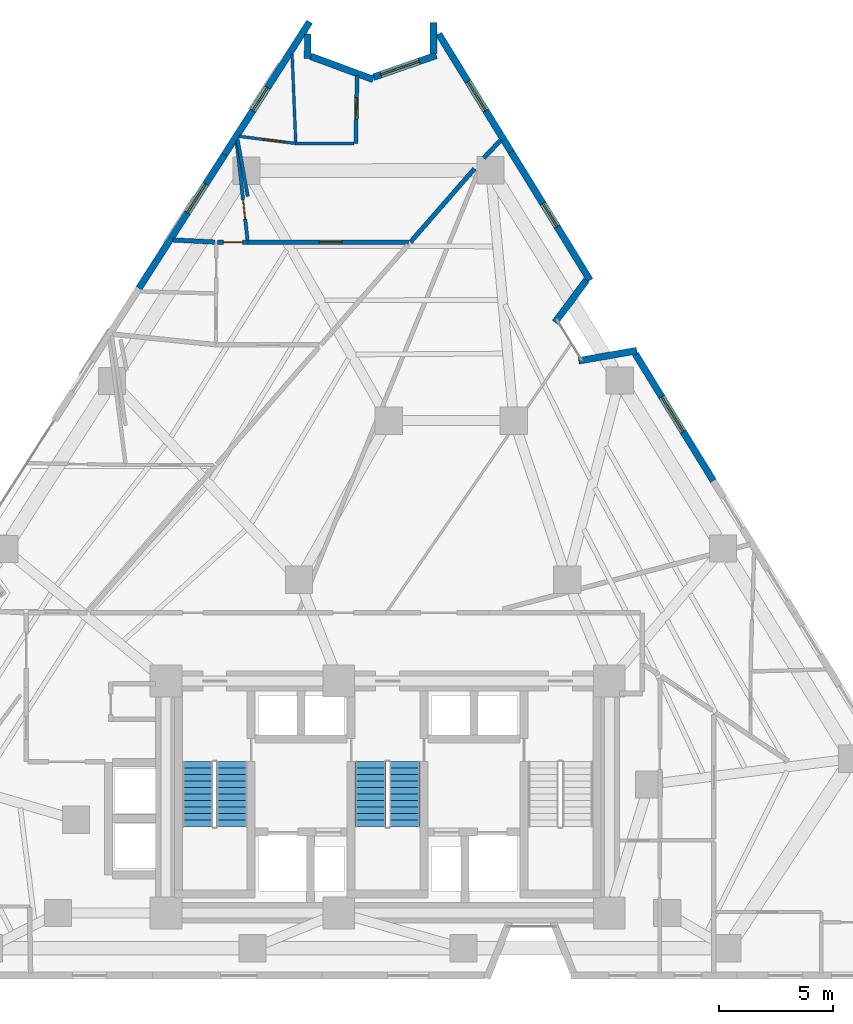
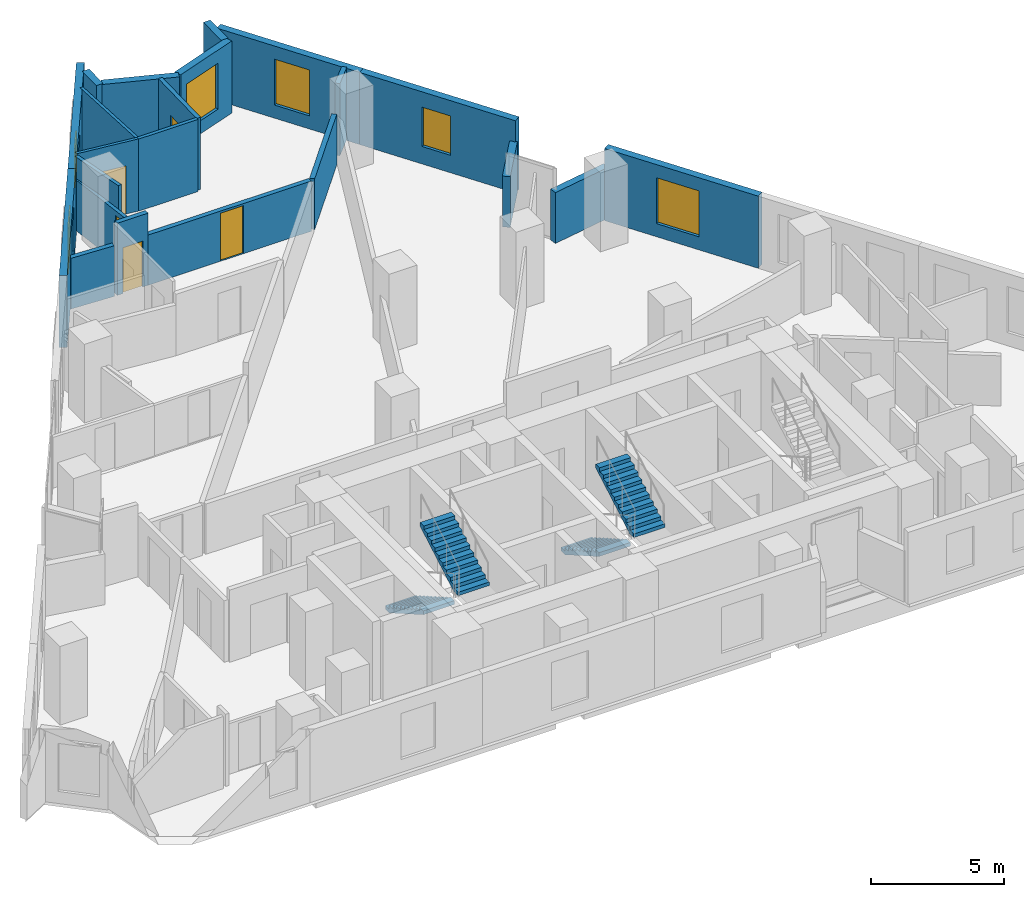
# One storey, part 10 of 13: 22 walls, 6 windows, 5 doors, 4 stair flights, 11 openings, 2 elements without a shape of their own.
"""IFC4 building model written with IfcOpenShell, lengths in metres."""

from ifc_helpers import new_model, si_unit, direction, frame, frame_2d, origin, place, context, subcontext, project, spatial, polyline, rectangle, outline, extrude, material, layer, layer_set, type_object, element, fill, aggregate, save


model = new_model("IFC4")

# Units and contexts
model_context = context("Model", 3, precision=1e-05, world=origin(), true_north=direction((0.0, 1.0)))
body_context = subcontext(model_context, "Body", "Model", "MODEL_VIEW")
ifc_project = project(units=[si_unit("LENGTHUNIT", "METRE"), si_unit("AREAUNIT", "SQUARE_METRE"), si_unit("VOLUMEUNIT", "CUBIC_METRE"), si_unit("PLANEANGLEUNIT", "RADIAN"), si_unit("MASSUNIT", "GRAM", prefix="KILO")], contexts=[model_context])

# Site, building, storey
site_placement = place(None, origin())
site = spatial("IfcSite", under=ifc_project, at=site_placement, CompositionType="ELEMENT")
building_placement = place(site_placement, origin())
building = spatial("IfcBuilding", under=site, at=building_placement, Name="Almagre Mirador Tower", CompositionType="ELEMENT")
storey_placement = place(building_placement, frame((0.0, 0.0, 96.60009765625)))
storey = spatial("IfcBuildingStorey", under=building, at=storey_placement, Name="L24", CompositionType="ELEMENT", Elevation=96.60009765625)

# Wall, opening, window
ifc_material_1 = material(Name="Precast concrete C50/60", Category="concrete")
ifc_layer_1 = layer(ifc_material_1, 0.300048828125)
ifc_layer_set_1 = layer_set([ifc_layer_1], Name="Precast concrete C50/60")
wall_type_1 = type_object("IfcWallType", Name="WAL-EXT-300", PredefinedType="SOLIDWALL", material=ifc_layer_set_1)
wall_1_placement = place(storey_placement, frame((26.3623046875, 32.020751953125, 0.0), z_axis=(0.0, 0.0, 1.0), x_axis=(0.539453319381, 0.842015508295, 0.0)))
wall_1 = element("IfcWall", 1, at=wall_1_placement, inside=storey, type_object=wall_type_1, Name="L24 expressed almagre precast frame wall 04", PredefinedType="SOLIDWALL", context=body_context, shape_type="SweptSolid", body=[
    extrude(rectangle(XDim=6.9853515625, YDim=0.300048828125, at=frame_2d((3.49267578125, 0.0))), origin(), (0.0, 0.0, 1.0), 3.2998046875),
])
opening_1_placement = place(wall_1_placement, frame((3.952880859375, 0.0, 0.60009765625)))
opening_1 = element("IfcOpeningElement", 2, at=opening_1_placement, cuts=wall_1, Name="Opening WN-03", PredefinedType="OPENING", context=body_context, shape_type="SweptSolid", body=[
    extrude(rectangle(XDim=1.5, YDim=2.10009765625, at=frame_2d((0.75, 1.050048828125))), frame((0.0, 0.159902, 0.0), z_axis=(0.0, -1.0, 0.0), x_axis=(1.0, 0.0, 0.0)), (0.0, 0.0, 1.0), 0.320049),
])
ifc_material_2 = material(Name="Dark solar-control laminated hurricane glass", Category="glass")
window_type_1 = type_object("IfcWindowType", Name="WIN-1500X2100", PartitioningType="DOUBLE_PANEL_VERTICAL", PredefinedType="WINDOW", material=ifc_material_2)
window_1_placement = place(opening_1_placement, origin())
window_1 = element("IfcWindow", 3, at=window_1_placement, inside=storey, type_object=window_type_1, Name="L24 recessed hurricane window L24-UM-HB", OverallHeight=2.10009765625, OverallWidth=1.5, PartitioningType="SINGLE_PANEL", PredefinedType="WINDOW", context=body_context, shape_type="SweptSolid", body=[
    extrude(rectangle(XDim=1.5, YDim=2.10009765625, at=frame_2d((0.75, 1.050048828125))), frame((0.0, 0.030029296875, 0.0), z_axis=(0.0, -1.0, 0.0), x_axis=(1.0, 0.0, 0.0)), (0.0, 0.0, 1.0), 0.06005859375),
])
fill(opening_1, window_1)

wall_2_placement = place(storey_placement, frame((30.130615234375, 37.902587890625, 0.0), z_axis=(0.0, 0.0, 1.0), x_axis=(0.539468344174, 0.842005882185, 0.0)))
wall_2 = element("IfcWall", 4, at=wall_2_placement, inside=storey, type_object=wall_type_1, Name="L24 expressed almagre precast frame wall 05", PredefinedType="SOLIDWALL", context=body_context, shape_type="SweptSolid", body=[
    extrude(rectangle(XDim=6.9326171875, YDim=0.300048828125, at=frame_2d((3.46630859375, 0.0))), origin(), (0.0, 0.0, 1.0), 3.2998046875),
])
opening_2_placement = place(wall_2_placement, frame((2.300048828125, 0.0, 0.800048828125)))
opening_2 = element("IfcOpeningElement", 5, at=opening_2_placement, cuts=wall_2, Name="Opening WN-04", PredefinedType="OPENING", context=body_context, shape_type="SweptSolid", body=[
    extrude(rectangle(XDim=1.199951171875, YDim=1.800048828125, at=frame_2d((0.60009765625, 0.89990234375))), frame((0.0, 0.159902, 0.0), z_axis=(0.0, -1.0, 0.0), x_axis=(1.0, 0.0, 0.0)), (0.0, 0.0, 1.0), 0.320049),
])
ifc_material_3 = material(Name="Dark solar-control laminated hurricane glass", Category="glass")
window_type_2 = type_object("IfcWindowType", Name="WIN-1200X1800", PartitioningType="SINGLE_PANEL", PredefinedType="WINDOW", material=ifc_material_3)
window_2_placement = place(opening_2_placement, origin())
window_2 = element("IfcWindow", 6, at=window_2_placement, inside=storey, type_object=window_type_2, Name="L24 recessed hurricane window L24-UM-KT", OverallHeight=1.800048828125, OverallWidth=1.199951171875, PartitioningType="SINGLE_PANEL", PredefinedType="WINDOW", context=body_context, shape_type="SweptSolid", body=[
    extrude(rectangle(XDim=1.199951171875, YDim=1.800048828125, at=frame_2d((0.60009765625, 0.89990234375))), frame((0.0, 0.030029296875, 0.0), z_axis=(0.0, -1.0, 0.0), x_axis=(1.0, 0.0, 0.0)), (0.0, 0.0, 1.0), 0.06005859375),
])
fill(opening_2, window_2)

# Walls
wall_3_placement = place(storey_placement, frame((33.791015625, 43.20703125, 0.0), z_axis=(0.0, 0.0, 1.0), x_axis=(-0.009538516763, -0.999954507314, 0.0)))
element("IfcWall", 7, at=wall_3_placement, inside=storey, type_object=wall_type_1, Name="L24 expressed almagre precast frame wall 06", PredefinedType="SOLIDWALL", context=body_context, shape_type="SweptSolid", body=[
    extrude(rectangle(XDim=1.074951171875, YDim=0.300048828125, at=frame_2d((0.53759765625, 0.0))), origin(), (0.0, 0.0, 1.0), 3.2998046875),
])
wall_4_placement = place(storey_placement, frame((33.90869140625, 42.225341796875, 0.0), z_axis=(0.0, 0.0, 1.0), x_axis=(0.938225446259, -0.346024582931, 0.0)))
element("IfcWall", 8, at=wall_4_placement, inside=storey, type_object=wall_type_1, Name="L24 expressed almagre precast frame wall 07", PredefinedType="SOLIDWALL", context=body_context, shape_type="SweptSolid", body=[
    extrude(rectangle(XDim=2.94140625, YDim=0.300048828125, at=frame_2d((1.470703125, 0.0))), origin(), (0.0, 0.0, 1.0), 3.2998046875),
])

# Wall, opening, window
wall_5_placement = place(storey_placement, frame((36.67578125, 41.30419921875, 0.0), z_axis=(0.0, 0.0, 1.0), x_axis=(0.944564229059, 0.328326692765, 0.0)))
wall_5 = element("IfcWall", 9, at=wall_5_placement, inside=storey, type_object=wall_type_1, Name="L24 expressed almagre precast frame wall 08", PredefinedType="SOLIDWALL", context=body_context, shape_type="SweptSolid", body=[
    extrude(rectangle(XDim=2.9296875, YDim=0.300048828125, at=frame_2d((1.46484375, 0.0))), origin(), (0.0, 0.0, 1.0), 3.2998046875),
])
opening_3_placement = place(wall_5_placement, frame((0.337890625, 0.0, 0.60009765625)))
opening_3 = element("IfcOpeningElement", 10, at=opening_3_placement, cuts=wall_5, Name="Opening WN-01", PredefinedType="OPENING", context=body_context, shape_type="SweptSolid", body=[
    extrude(rectangle(XDim=1.800048828125, YDim=2.10009765625, at=frame_2d((0.89990234375, 1.050048828125))), frame((0.0, 0.159902, 0.0), z_axis=(0.0, -1.0, 0.0), x_axis=(1.0, 0.0, 0.0)), (0.0, 0.0, 1.0), 0.320049),
])
ifc_material_4 = material(Name="Dark solar-control laminated hurricane glass", Category="glass")
window_type_3 = type_object("IfcWindowType", Name="WIN-1800X2100", PartitioningType="DOUBLE_PANEL_VERTICAL", PredefinedType="WINDOW", material=ifc_material_4)
window_3_placement = place(opening_3_placement, origin())
window_3 = element("IfcWindow", 11, at=window_3_placement, inside=storey, type_object=window_type_3, Name="L24 recessed hurricane window L24-UM-ST", OverallHeight=2.10009765625, OverallWidth=1.800048828125, PartitioningType="SINGLE_PANEL", PredefinedType="WINDOW", context=body_context, shape_type="SweptSolid", body=[
    extrude(rectangle(XDim=1.800048828125, YDim=2.10009765625, at=frame_2d((0.89990234375, 1.050048828125))), frame((0.0, 0.030029296875, 0.0), z_axis=(0.0, -1.0, 0.0), x_axis=(1.0, 0.0, 0.0)), (0.0, 0.0, 1.0), 0.06005859375),
])
fill(opening_3, window_3)

# Wall
wall_6_placement = place(storey_placement, frame((39.312255859375, 42.35498046875, 0.0), z_axis=(0.0, 0.0, 1.0), x_axis=(0.008828484753, 0.999961028169, 0.0)))
element("IfcWall", 12, at=wall_6_placement, inside=storey, type_object=wall_type_1, Name="L24 expressed almagre precast frame wall 09", PredefinedType="SOLIDWALL", context=body_context, shape_type="SweptSolid", body=[
    extrude(rectangle(XDim=1.35498046875, YDim=0.300048828125, at=frame_2d((0.677490234375, 0.0))), origin(), (0.0, 0.0, 1.0), 3.2998046875),
])

# Wall, opening, window
wall_7_placement = place(storey_placement, frame((39.545654296875, 43.2080078125, 0.0), z_axis=(0.0, 0.0, 1.0), x_axis=(0.523660209905, -0.851927217879, 0.0)))
wall_7 = element("IfcWall", 13, at=wall_7_placement, inside=storey, type_object=wall_type_1, Name="L24 expressed almagre precast frame wall 10", PredefinedType="SOLIDWALL", context=body_context, shape_type="SweptSolid", body=[
    extrude(rectangle(XDim=6.076171875, YDim=0.300048828125, at=frame_2d((3.0380859375, 0.0))), origin(), (0.0, 0.0, 1.0), 3.2998046875),
])
opening_4_placement = place(wall_7_placement, frame((2.4599609375, 0.0, 0.60009765625)))
opening_4 = element("IfcOpeningElement", 14, at=opening_4_placement, cuts=wall_7, Name="Opening WN-03", PredefinedType="OPENING", context=body_context, shape_type="SweptSolid", body=[
    extrude(rectangle(XDim=1.5, YDim=2.10009765625, at=frame_2d((0.75, 1.050048828125))), frame((0.0, 0.159902, 0.0), z_axis=(0.0, -1.0, 0.0), x_axis=(1.0, 0.0, 0.0)), (0.0, 0.0, 1.0), 0.320049),
])
window_4_placement = place(opening_4_placement, origin())
window_4 = element("IfcWindow", 15, at=window_4_placement, inside=storey, type_object=window_type_1, Name="L24 recessed hurricane window L24-UM-ST", OverallHeight=2.10009765625, OverallWidth=1.5, PartitioningType="SINGLE_PANEL", PredefinedType="WINDOW", context=body_context, shape_type="SweptSolid", body=[
    extrude(rectangle(XDim=1.5, YDim=2.10009765625, at=frame_2d((0.75, 1.050048828125))), frame((0.0, 0.030029296875, 0.0), z_axis=(0.0, -1.0, 0.0), x_axis=(1.0, 0.0, 0.0)), (0.0, 0.0, 1.0), 0.06005859375),
])
fill(opening_4, window_4)

wall_8_placement = place(storey_placement, frame((42.7275390625, 38.031494140625, 0.0), z_axis=(0.0, 0.0, 1.0), x_axis=(0.523672784649, -0.851919488343, 0.0)))
wall_8 = element("IfcWall", 16, at=wall_8_placement, inside=storey, type_object=wall_type_1, Name="L24 expressed almagre precast frame wall 11", PredefinedType="SOLIDWALL", context=body_context, shape_type="SweptSolid", body=[
    extrude(rectangle(XDim=6.64111328125, YDim=0.300048828125, at=frame_2d((3.320556640625, 0.0))), origin(), (0.0, 0.0, 1.0), 3.2998046875),
])
opening_5_placement = place(wall_8_placement, frame((2.675048828125, 0.0, 0.800048828125)))
opening_5 = element("IfcOpeningElement", 17, at=opening_5_placement, cuts=wall_8, Name="Opening WN-04", PredefinedType="OPENING", context=body_context, shape_type="SweptSolid", body=[
    extrude(rectangle(XDim=1.199951171875, YDim=1.800048828125, at=frame_2d((0.60009765625, 0.89990234375))), frame((0.0, 0.159902, 0.0), z_axis=(0.0, -1.0, 0.0), x_axis=(1.0, 0.0, 0.0)), (0.0, 0.0, 1.0), 0.320049),
])
window_5_placement = place(opening_5_placement, origin())
window_5 = element("IfcWindow", 18, at=window_5_placement, inside=storey, type_object=window_type_2, Name="L24 recessed hurricane window L24-RST-L", OverallHeight=1.800048828125, OverallWidth=1.199951171875, PartitioningType="SINGLE_PANEL", PredefinedType="WINDOW", context=body_context, shape_type="SweptSolid", body=[
    extrude(rectangle(XDim=1.199951171875, YDim=1.800048828125, at=frame_2d((0.60009765625, 0.89990234375))), frame((0.0, 0.030029296875, 0.0), z_axis=(0.0, -1.0, 0.0), x_axis=(1.0, 0.0, 0.0)), (0.0, 0.0, 1.0), 0.06005859375),
])
fill(opening_5, window_5)

# Walls
wall_9_placement = place(storey_placement, frame((46.05126953125, 32.384765625, 0.0), z_axis=(0.0, 0.0, 1.0), x_axis=(-0.597942033265, -0.801539347041, 0.0)))
element("IfcWall", 19, at=wall_9_placement, inside=storey, type_object=wall_type_1, Name="L24 expressed almagre precast frame wall 12", PredefinedType="SOLIDWALL", context=body_context, shape_type="SweptSolid", body=[
    extrude(rectangle(XDim=2.31787109375, YDim=0.300048828125, at=frame_2d((1.158935546875, 0.0))), origin(), (0.0, 0.0, 1.0), 2.324951171875),
])
wall_10_placement = place(storey_placement, frame((45.705078125, 28.833984375, 0.0), z_axis=(0.0, 0.0, 1.0), x_axis=(0.985100314999, 0.171980723889, 0.0)))
element("IfcWall", 20, at=wall_10_placement, inside=storey, type_object=wall_type_1, Name="L24 expressed almagre precast frame wall 13", PredefinedType="SOLIDWALL", context=body_context, shape_type="SweptSolid", body=[
    extrude(rectangle(XDim=2.593505859375, YDim=0.300048828125, at=frame_2d((1.296875, 0.0))), origin(), (0.0, 0.0, 1.0), 2.324951171875),
])

# Wall, opening, window
wall_11_placement = place(storey_placement, frame((48.1953125, 29.13671875, 0.0), z_axis=(0.0, 0.0, 1.0), x_axis=(0.523689584933, -0.851909161022, 0.0)))
wall_11 = element("IfcWall", 21, at=wall_11_placement, inside=storey, type_object=wall_type_1, Name="L24 expressed almagre precast frame wall 14", PredefinedType="SOLIDWALL", context=body_context, shape_type="SweptSolid", body=[
    extrude(rectangle(XDim=6.547119140625, YDim=0.300048828125, at=frame_2d((3.2734375, 0.0))), origin(), (0.0, 0.0, 1.0), 3.2998046875),
])
opening_6_placement = place(wall_11_placement, frame((2.219970703125, 0.0, 0.60009765625)))
opening_6 = element("IfcOpeningElement", 22, at=opening_6_placement, cuts=wall_11, Name="Opening WN-01", PredefinedType="OPENING", context=body_context, shape_type="SweptSolid", body=[
    extrude(rectangle(XDim=1.800048828125, YDim=2.10009765625, at=frame_2d((0.89990234375, 1.050048828125))), frame((0.0, 0.159902, 0.0), z_axis=(0.0, -1.0, 0.0), x_axis=(1.0, 0.0, 0.0)), (0.0, 0.0, 1.0), 0.320049),
])
window_6_placement = place(opening_6_placement, origin())
window_6 = element("IfcWindow", 23, at=window_6_placement, inside=storey, type_object=window_type_3, Name="L24 recessed hurricane window L24-RST-J", OverallHeight=2.10009765625, OverallWidth=1.800048828125, PartitioningType="SINGLE_PANEL", PredefinedType="WINDOW", context=body_context, shape_type="SweptSolid", body=[
    extrude(rectangle(XDim=1.800048828125, YDim=2.10009765625, at=frame_2d((0.89990234375, 1.050048828125))), frame((0.0, 0.030029296875, 0.0), z_axis=(0.0, -1.0, 0.0), x_axis=(1.0, 0.0, 0.0)), (0.0, 0.0, 1.0), 0.06005859375),
])
fill(opening_6, window_6)

# Wall, opening, door
ifc_material_5 = material(Name="Gypsum acoustic stud partition", Category="other")
ifc_layer_2 = layer(ifc_material_5, 0.125)
ifc_layer_set_2 = layer_set([ifc_layer_2], Name="Gypsum acoustic stud partition")
wall_type_2 = type_object("IfcWallType", Name="WAL-PRT-125-UTL", PredefinedType="PARTITIONING", material=ifc_layer_set_2)
wall_12_placement = place(storey_placement, frame((33.260009765625, 38.389892578125, 0.0), z_axis=(0.0, 0.0, 1.0), x_axis=(-0.992108113315, 0.125385371932, 0.0)))
wall_12 = element("IfcWall", 24, at=wall_12_placement, inside=storey, type_object=wall_type_2, Name="L24 interior partition 056", PredefinedType="PARTITIONING", context=body_context, shape_type="SweptSolid", body=[
    extrude(rectangle(XDim=2.513671875, YDim=0.125, at=frame_2d((1.2568359375, 0.0))), origin(), (0.0, 0.0, 1.0), 3.2998046875),
])
opening_7_placement = place(wall_12_placement, frame((0.490234375, 0.0, 0.0)))
opening_7 = element("IfcOpeningElement", 25, at=opening_7_placement, cuts=wall_12, Name="Opening UD-01", PredefinedType="OPENING", context=body_context, shape_type="SweptSolid", body=[
    extrude(rectangle(XDim=0.949951171875, YDim=2.199951171875, at=frame_2d((0.47509765625, 1.10009765625))), frame((0.0, 0.0725, 0.0), z_axis=(0.0, -1.0, 0.0), x_axis=(1.0, 0.0, 0.0)), (0.0, 0.0, 1.0), 0.145),
])
ifc_material_6 = material(Name="Solid American walnut timber", Category="wood")
door_type_1 = type_object("IfcDoorType", Name="DOR-UNR-950X2200", OperationType="NOTDEFINED", PredefinedType="DOOR", material=ifc_material_6)
door_1_placement = place(opening_7_placement, origin())
door_1 = element("IfcDoor", 26, at=door_1_placement, inside=storey, type_object=door_type_1, Name="DR-0830 L24 interior door L24-UM-ST to L24-UM-KT", OperationType="SINGLE_SWING_LEFT", OverallHeight=2.199951171875, OverallWidth=0.949951171875, PredefinedType="DOOR", context=body_context, shape_type="SweptSolid", body=[
    extrude(rectangle(XDim=0.949951171875, YDim=2.199951171875, at=frame_2d((0.47509765625, 1.10009765625))), frame((0.0, 0.02490234375, 0.0), z_axis=(0.0, -1.0, 0.0), x_axis=(1.0, 0.0, 0.0)), (0.0, 0.0, 1.0), 0.050048828125),
])
fill(opening_7, door_1)

# Wall
wall_13_placement = place(storey_placement, frame((33.258544921875, 38.4375, 0.0), z_axis=(0.0, 0.0, 1.0), x_axis=(-0.040786210749, 0.999167896308, 0.0)))
element("IfcWall", 27, at=wall_13_placement, inside=storey, type_object=wall_type_2, Name="L24 interior partition 059", PredefinedType="PARTITIONING", context=body_context, shape_type="SweptSolid", body=[
    extrude(rectangle(XDim=3.884765625, YDim=0.125, at=frame_2d((1.9423828125, 0.0))), origin(), (0.0, 0.0, 1.0), 3.2998046875),
])

# Wall, opening, door
ifc_material_7 = material(Name="Gypsum acoustic stud partition", Category="other")
ifc_layer_3 = layer(ifc_material_7, 0.14990234375)
ifc_layer_set_3 = layer_set([ifc_layer_3], Name="Gypsum acoustic stud partition")
wall_type_3 = type_object("IfcWallType", Name="WAL-PRT-150-STD", PredefinedType="PARTITIONING", material=ifc_layer_set_3)
wall_14_placement = place(storey_placement, frame((30.6630859375, 38.44384765625, 0.0), z_axis=(0.0, 0.0, 1.0), x_axis=(0.110196673345, -0.993909801332, 0.0)))
wall_14 = element("IfcWall", 28, at=wall_14_placement, inside=storey, type_object=wall_type_3, Name="L24 interior partition 055", PredefinedType="PARTITIONING", context=body_context, shape_type="SweptSolid", body=[
    extrude(rectangle(XDim=4.335693359375, YDim=0.14990234375, at=frame_2d((2.16796875, 0.0))), origin(), (0.0, 0.0, 1.0), 2.31982421875),
])
opening_8_placement = place(wall_14_placement, frame((2.54833984375, 0.0, 0.0)))
opening_8 = element("IfcOpeningElement", 29, at=opening_8_placement, cuts=wall_14, Name="Opening UD-04", PredefinedType="OPENING", context=body_context, shape_type="SweptSolid", body=[
    extrude(rectangle(XDim=0.85009765625, YDim=2.10009765625, at=frame_2d((0.425048828125, 1.050048828125))), frame((0.0, 0.084951, 0.0), z_axis=(0.0, -1.0, 0.0), x_axis=(1.0, 0.0, 0.0)), (0.0, 0.0, 1.0), 0.169902),
])
ifc_material_8 = material(Name="Moisture-resistant oak timber", Category="wood")
door_type_2 = type_object("IfcDoorType", Name="DOR-UNR-850X2100", OperationType="NOTDEFINED", PredefinedType="DOOR", material=ifc_material_8)
door_2_placement = place(opening_8_placement, origin())
door_2 = element("IfcDoor", 30, at=door_2_placement, inside=storey, type_object=door_type_2, Name="DR-0832 L24 interior door L24-UM-ST to L24-UM-HB", OperationType="SINGLE_SWING_LEFT", OverallHeight=2.10009765625, OverallWidth=0.85009765625, PredefinedType="DOOR", context=body_context, shape_type="SweptSolid", body=[
    extrude(rectangle(XDim=0.85009765625, YDim=2.10009765625, at=frame_2d((0.425048828125, 1.050048828125))), frame((0.0, 0.02490234375, 0.0), z_axis=(0.0, -1.0, 0.0), x_axis=(1.0, 0.0, 0.0)), (0.0, 0.0, 1.0), 0.050048828125),
])
fill(opening_8, door_2)

# Walls
wall_15_placement = place(storey_placement, frame((35.827392578125, 38.389892578125, 0.0), z_axis=(0.0, 0.0, 1.0), x_axis=(-1.0, 0.0, 0.0)))
element("IfcWall", 31, at=wall_15_placement, inside=storey, type_object=wall_type_3, Name="L24 interior partition 058", PredefinedType="PARTITIONING", context=body_context, shape_type="SweptSolid", body=[
    extrude(rectangle(XDim=2.5673828125, YDim=0.14990234375, at=frame_2d((1.28369140625, 0.0))), origin(), (0.0, 0.0, 1.0), 3.2998046875),
])
wall_16_placement = place(storey_placement, frame((31.14990234375, 36.06201171875, 0.0), z_axis=(0.0, 0.0, 1.0), x_axis=(-0.176413917308, 0.984316072093, 0.0)))
element("IfcWall", 32, at=wall_16_placement, inside=storey, type_object=wall_type_3, Name="L24 interior partition 065", PredefinedType="PARTITIONING", context=body_context, shape_type="SweptSolid", body=[
    extrude(rectangle(XDim=2.521484375, YDim=0.14990234375, at=frame_2d((1.2607421875, 0.0))), origin(), (0.0, 0.0, 1.0), 3.2998046875),
])

# Wall, opening, door
ifc_material_9 = material(Name="Gypsum acoustic stud partition", Category="other")
ifc_layer_4 = layer(ifc_material_9, 0.175048828125)
ifc_layer_set_4 = layer_set([ifc_layer_4], Name="Gypsum acoustic stud partition")
wall_type_4 = type_object("IfcWallType", Name="WAL-PRT-175-AC", PredefinedType="PARTITIONING", material=ifc_layer_set_4)
wall_17_placement = place(storey_placement, frame((35.958984375, 41.37109375, 0.0), z_axis=(0.0, 0.0, 1.0), x_axis=(-0.019814305947, -0.999803677369, 0.0)))
wall_17 = element("IfcWall", 33, at=wall_17_placement, inside=storey, type_object=wall_type_4, Name="L24 interior partition 057", PredefinedType="PARTITIONING", context=body_context, shape_type="SweptSolid", body=[
    extrude(rectangle(XDim=2.981689453125, YDim=0.175048828125, at=frame_2d((1.49072265625, 0.0))), origin(), (0.0, 0.0, 1.0), 3.2998046875),
])
opening_9_placement = place(wall_17_placement, frame((0.966796875, 0.0, 0.0)))
opening_9 = element("IfcOpeningElement", 34, at=opening_9_placement, cuts=wall_17, Name="Opening UD-01", PredefinedType="OPENING", context=body_context, shape_type="SweptSolid", body=[
    extrude(rectangle(XDim=0.949951171875, YDim=2.199951171875, at=frame_2d((0.47509765625, 1.10009765625))), frame((0.0, 0.097402, 0.0), z_axis=(0.0, -1.0, 0.0), x_axis=(1.0, 0.0, 0.0)), (0.0, 0.0, 1.0), 0.195049),
])
door_3_placement = place(opening_9_placement, origin())
door_3 = element("IfcDoor", 35, at=door_3_placement, inside=storey, type_object=door_type_1, Name="DR-0831 L24 interior door L24-UM-ST to L24-UM-ST1", OperationType="SINGLE_SWING_RIGHT", OverallHeight=2.199951171875, OverallWidth=0.949951171875, PredefinedType="DOOR", context=body_context, shape_type="SweptSolid", body=[
    extrude(rectangle(XDim=0.949951171875, YDim=2.199951171875, at=frame_2d((0.47509765625, 1.10009765625))), frame((0.0, 0.02490234375, 0.0), z_axis=(0.0, -1.0, 0.0), x_axis=(1.0, 0.0, 0.0)), (0.0, 0.0, 1.0), 0.050048828125),
])
fill(opening_9, door_3)

# Wall
ifc_material_10 = material(Name="Gypsum acoustic stud partition", Category="other")
ifc_layer_5 = layer(ifc_material_10, 0.199951171875)
ifc_layer_set_5 = layer_set([ifc_layer_5], Name="Gypsum acoustic stud partition")
wall_type_5 = type_object("IfcWallType", Name="WAL-PRT-200-EI60", PredefinedType="PARTITIONING", material=ifc_layer_set_5)
wall_18_placement = place(storey_placement, frame((41.12451171875, 37.285400390625, 0.0), z_axis=(0.0, 0.0, 1.0), x_axis=(-0.657650992125, -0.753322754572, 0.0)))
element("IfcWall", 36, at=wall_18_placement, inside=storey, type_object=wall_type_5, Name="L24 interior partition 046", PredefinedType="PARTITIONING", context=body_context, shape_type="SweptSolid", body=[
    extrude(rectangle(XDim=4.294677734375, YDim=0.199951171875, at=frame_2d((2.1474609375, 0.0))), origin(), (0.0, 0.0, 1.0), 2.31982421875),
])

# Wall, opening, door
wall_19_placement = place(storey_placement, frame((38.215087890625, 34.050048828125, 0.0), z_axis=(0.0, 0.0, 1.0), x_axis=(-1.0, 0.0, 0.0)))
wall_19 = element("IfcWall", 37, at=wall_19_placement, inside=storey, type_object=wall_type_5, Name="L24 interior partition 050", PredefinedType="PARTITIONING", context=body_context, shape_type="SweptSolid", body=[
    extrude(rectangle(XDim=7.065185546875, YDim=0.199951171875, at=frame_2d((3.53271484375, 0.0))), origin(), (0.0, 0.0, 1.0), 2.294921875),
])
opening_10_placement = place(wall_19_placement, frame((2.93017578125, 0.0, 0.0)))
opening_10 = element("IfcOpeningElement", 38, at=opening_10_placement, cuts=wall_19, Name="Opening ID-01", PredefinedType="OPENING", context=body_context, shape_type="SweptSolid", body=[
    extrude(rectangle(XDim=1.0, YDim=2.199951171875, at=frame_2d((0.5, 1.10009765625))), frame((0.0, 0.110098, 0.0), z_axis=(0.0, -1.0, 0.0), x_axis=(1.0, 0.0, 0.0)), (0.0, 0.0, 1.0), 0.219951),
])
ifc_material_11 = material(Name="Fire-rated walnut timber", Category="wood")
door_type_3 = type_object("IfcDoorType", Name="DOR-FD60-1000X2200", OperationType="NOTDEFINED", PredefinedType="DOOR", material=ifc_material_11)
door_4_placement = place(opening_10_placement, origin())
door_4 = element("IfcDoor", 39, at=door_4_placement, inside=storey, type_object=door_type_3, Name="DR-0836 L24 interior door L24-UK-ST to L24-UM-ST", OperationType="SINGLE_SWING_LEFT", OverallHeight=2.199951171875, OverallWidth=1.0, PredefinedType="DOOR", context=body_context, shape_type="SweptSolid", body=[
    extrude(rectangle(XDim=1.0, YDim=2.199951171875, at=frame_2d((0.5, 1.10009765625))), frame((0.0, 0.02490234375, 0.0), z_axis=(0.0, -1.0, 0.0), x_axis=(1.0, 0.0, 0.0)), (0.0, 0.0, 1.0), 0.050048828125),
])
fill(opening_10, door_4)

wall_20_placement = place(storey_placement, frame((31.14990234375, 34.050048828125, 0.0), z_axis=(0.0, 0.0, 1.0), x_axis=(-1.0, 0.0, 0.0)))
wall_20 = element("IfcWall", 40, at=wall_20_placement, inside=storey, type_object=wall_type_5, Name="L24 interior partition 051", PredefinedType="PARTITIONING", context=body_context, shape_type="SweptSolid", body=[
    extrude(rectangle(XDim=1.329833984375, YDim=0.199951171875, at=frame_2d((0.6650390625, 0.0))), origin(), (0.0, 0.0, 1.0), 3.2998046875),
])
opening_11_placement = place(wall_20_placement, frame((0.226806640625, 0.0, 0.0)))
opening_11 = element("IfcOpeningElement", 41, at=opening_11_placement, cuts=wall_20, Name="Opening UD-04", PredefinedType="OPENING", context=body_context, shape_type="SweptSolid", body=[
    extrude(rectangle(XDim=0.85009765625, YDim=2.10009765625, at=frame_2d((0.425048828125, 1.050048828125))), frame((0.0, 0.110098, 0.0), z_axis=(0.0, -1.0, 0.0), x_axis=(1.0, 0.0, 0.0)), (0.0, 0.0, 1.0), 0.219951),
])
door_5_placement = place(opening_11_placement, origin())
door_5 = element("IfcDoor", 42, at=door_5_placement, inside=storey, type_object=door_type_2, Name="DR-0837 L24 interior door L24-UM-HB to L24-UK-ST", OperationType="SINGLE_SWING_RIGHT", OverallHeight=2.10009765625, OverallWidth=0.85009765625, PredefinedType="DOOR", context=body_context, shape_type="SweptSolid", body=[
    extrude(rectangle(XDim=0.85009765625, YDim=2.10009765625, at=frame_2d((0.425048828125, 1.050048828125))), frame((0.0, 0.02490234375, 0.0), z_axis=(0.0, -1.0, 0.0), x_axis=(1.0, 0.0, 0.0)), (0.0, 0.0, 1.0), 0.050048828125),
])
fill(opening_11, door_5)

# Walls
wall_21_placement = place(storey_placement, frame((29.699951171875, 34.052490234375, 0.0), z_axis=(0.0, 0.0, 1.0), x_axis=(-0.998649577824, 0.051952100177, 0.0)))
element("IfcWall", 43, at=wall_21_placement, inside=storey, type_object=wall_type_5, Name="L24 interior partition 053", PredefinedType="PARTITIONING", context=body_context, shape_type="SweptSolid", body=[
    extrude(rectangle(XDim=1.83740234375, YDim=0.199951171875, at=frame_2d((0.918701171875, 0.0))), origin(), (0.0, 0.0, 1.0), 2.31982421875),
])
wall_22_placement = place(storey_placement, frame((42.29296875, 38.556884765625, 0.0), z_axis=(0.0, 0.0, 1.0), x_axis=(-0.687043041617, -0.726616720814, 0.0)))
element("IfcWall", 44, at=wall_22_placement, inside=storey, type_object=wall_type_5, Name="L24 interior partition 054", PredefinedType="PARTITIONING", context=body_context, shape_type="SweptSolid", body=[
    extrude(rectangle(XDim=1.1103515625, YDim=0.199951171875, at=frame_2d((0.55517578125, 0.0))), origin(), (0.0, 0.0, 1.0), 3.2998046875),
])

# Stair, stair flights
ifc_material_12 = material(Name="Concrete C45/55", Category="concrete")
stair_type = type_object("IfcStairType", Name="STR-DL-3600", PredefinedType="HALF_TURN_STAIR", material=ifc_material_12)
stair_1_placement = place(storey_placement, origin())
stair_1 = element("IfcStair", 45, at=stair_1_placement, inside=storey, type_object=stair_type, Name="L24 Protected exit stair ST-1", PredefinedType="HALF_TURN_STAIR")
ifc_material_13 = material(Name="Concrete C45/55", Category="concrete")
stair_flight_type = type_object("IfcStairFlightType", Name="FLT-DL-3600", PredefinedType="STRAIGHT", material=ifc_material_13)
stair_flight_1_placement = place(storey_placement, frame((28.949951171875, 11.199951171875, 0.0), z_axis=(0.0, 0.0, 1.0), x_axis=(0.0, -1.0, 0.0)))
stair_flight_1 = element("IfcStairFlight", 46, at=stair_flight_1_placement, type_object=stair_flight_type, Name="ST-1 flight 1", NumberOfRisers=11, NumberOfTreads=10, PredefinedType="STRAIGHT", RiserHeight=0.163636364, TreadLength=0.285, context=body_context, shape_type="SweptSolid", body=[
    extrude(outline(polyline([(0.0, 0.0), (0.0, 0.16357421875), (0.284912109375, 0.16357421875), (0.284912109375, 0.327392578125), (0.570068359375, 0.327392578125), (0.570068359375, 0.490966796875), (0.85498046875, 0.490966796875), (0.85498046875, 0.654541015625), (1.139892578125, 0.654541015625), (1.139892578125, 0.818115234375), (1.425048828125, 0.818115234375), (1.425048828125, 0.98193359375), (1.7099609375, 0.98193359375), (1.7099609375, 1.1455078125), (1.9951171875, 1.1455078125), (1.9951171875, 1.30908203125), (2.280029296875, 1.30908203125), (2.280029296875, 1.47265625), (2.56494140625, 1.47265625), (2.56494140625, 1.636474609375), (2.85009765625, 1.636474609375), (2.85009765625, 1.800048828125), (2.85009765625, 1.463623046875), (0.301025390625, 0.0), (0.0, 0.0)])), frame((0.0, 0.675048828125, 0.0), z_axis=(0.0, -1.0, 0.0), x_axis=(1.0, 0.0, 0.0)), (0.0, 0.0, 1.0), 1.35009765625),
])
stair_flight_2_placement = place(storey_placement, frame((30.449951171875, 8.35009765625, 1.7998046875), z_axis=(0.0, 0.0, 1.0), x_axis=(0.0, 1.0, 0.0)))
stair_flight_2 = element("IfcStairFlight", 47, at=stair_flight_2_placement, type_object=stair_flight_type, Name="ST-1 flight 2", NumberOfRisers=11, NumberOfTreads=10, PredefinedType="STRAIGHT", RiserHeight=0.163636364, TreadLength=0.285, context=body_context, shape_type="SweptSolid", body=[
    extrude(outline(polyline([(0.0, 0.0), (0.0, 0.16357421875), (0.284912109375, 0.16357421875), (0.284912109375, 0.327392578125), (0.570068359375, 0.327392578125), (0.570068359375, 0.490966796875), (0.85498046875, 0.490966796875), (0.85498046875, 0.654541015625), (1.139892578125, 0.654541015625), (1.139892578125, 0.818115234375), (1.425048828125, 0.818115234375), (1.425048828125, 0.98193359375), (1.7099609375, 0.98193359375), (1.7099609375, 1.1455078125), (1.9951171875, 1.1455078125), (1.9951171875, 1.30908203125), (2.280029296875, 1.30908203125), (2.280029296875, 1.47265625), (2.56494140625, 1.47265625), (2.56494140625, 1.636474609375), (2.85009765625, 1.636474609375), (2.85009765625, 1.800048828125), (2.85009765625, 1.463623046875), (0.301025390625, 0.0), (0.0, 0.0)])), frame((0.0, 0.675048828125, 0.0), z_axis=(0.0, -1.0, 0.0), x_axis=(1.0, 0.0, 0.0)), (0.0, 0.0, 1.0), 1.35009765625),
])
aggregate(stair_1, [stair_flight_1, stair_flight_2])

stair_2_placement = place(storey_placement, origin())
stair_2 = element("IfcStair", 48, at=stair_2_placement, inside=storey, type_object=stair_type, Name="L24 Protected exit stair ST-2", PredefinedType="HALF_TURN_STAIR")
stair_flight_3_placement = place(storey_placement, frame((36.550048828125, 11.199951171875, 0.0), z_axis=(0.0, 0.0, 1.0), x_axis=(0.0, -1.0, 0.0)))
stair_flight_3 = element("IfcStairFlight", 49, at=stair_flight_3_placement, type_object=stair_flight_type, Name="ST-2 flight 1", NumberOfRisers=11, NumberOfTreads=10, PredefinedType="STRAIGHT", RiserHeight=0.163636364, TreadLength=0.285, context=body_context, shape_type="SweptSolid", body=[
    extrude(outline(polyline([(0.0, 0.0), (0.0, 0.16357421875), (0.284912109375, 0.16357421875), (0.284912109375, 0.327392578125), (0.570068359375, 0.327392578125), (0.570068359375, 0.490966796875), (0.85498046875, 0.490966796875), (0.85498046875, 0.654541015625), (1.139892578125, 0.654541015625), (1.139892578125, 0.818115234375), (1.425048828125, 0.818115234375), (1.425048828125, 0.98193359375), (1.7099609375, 0.98193359375), (1.7099609375, 1.1455078125), (1.9951171875, 1.1455078125), (1.9951171875, 1.30908203125), (2.280029296875, 1.30908203125), (2.280029296875, 1.47265625), (2.56494140625, 1.47265625), (2.56494140625, 1.636474609375), (2.85009765625, 1.636474609375), (2.85009765625, 1.800048828125), (2.85009765625, 1.463623046875), (0.301025390625, 0.0), (0.0, 0.0)])), frame((0.0, 0.675048828125, 0.0), z_axis=(0.0, -1.0, 0.0), x_axis=(1.0, 0.0, 0.0)), (0.0, 0.0, 1.0), 1.35009765625),
])
stair_flight_4_placement = place(storey_placement, frame((38.050048828125, 8.35009765625, 1.7998046875), z_axis=(0.0, 0.0, 1.0), x_axis=(0.0, 1.0, 0.0)))
stair_flight_4 = element("IfcStairFlight", 50, at=stair_flight_4_placement, type_object=stair_flight_type, Name="ST-2 flight 2", NumberOfRisers=11, NumberOfTreads=10, PredefinedType="STRAIGHT", RiserHeight=0.163636364, TreadLength=0.285, context=body_context, shape_type="SweptSolid", body=[
    extrude(outline(polyline([(0.0, 0.0), (0.0, 0.16357421875), (0.284912109375, 0.16357421875), (0.284912109375, 0.327392578125), (0.570068359375, 0.327392578125), (0.570068359375, 0.490966796875), (0.85498046875, 0.490966796875), (0.85498046875, 0.654541015625), (1.139892578125, 0.654541015625), (1.139892578125, 0.818115234375), (1.425048828125, 0.818115234375), (1.425048828125, 0.98193359375), (1.7099609375, 0.98193359375), (1.7099609375, 1.1455078125), (1.9951171875, 1.1455078125), (1.9951171875, 1.30908203125), (2.280029296875, 1.30908203125), (2.280029296875, 1.47265625), (2.56494140625, 1.47265625), (2.56494140625, 1.636474609375), (2.85009765625, 1.636474609375), (2.85009765625, 1.800048828125), (2.85009765625, 1.463623046875), (0.301025390625, 0.0), (0.0, 0.0)])), frame((0.0, 0.675048828125, 0.0), z_axis=(0.0, -1.0, 0.0), x_axis=(1.0, 0.0, 0.0)), (0.0, 0.0, 1.0), 1.35009765625),
])
aggregate(stair_2, [stair_flight_3, stair_flight_4])

save(model, "model.ifc")
